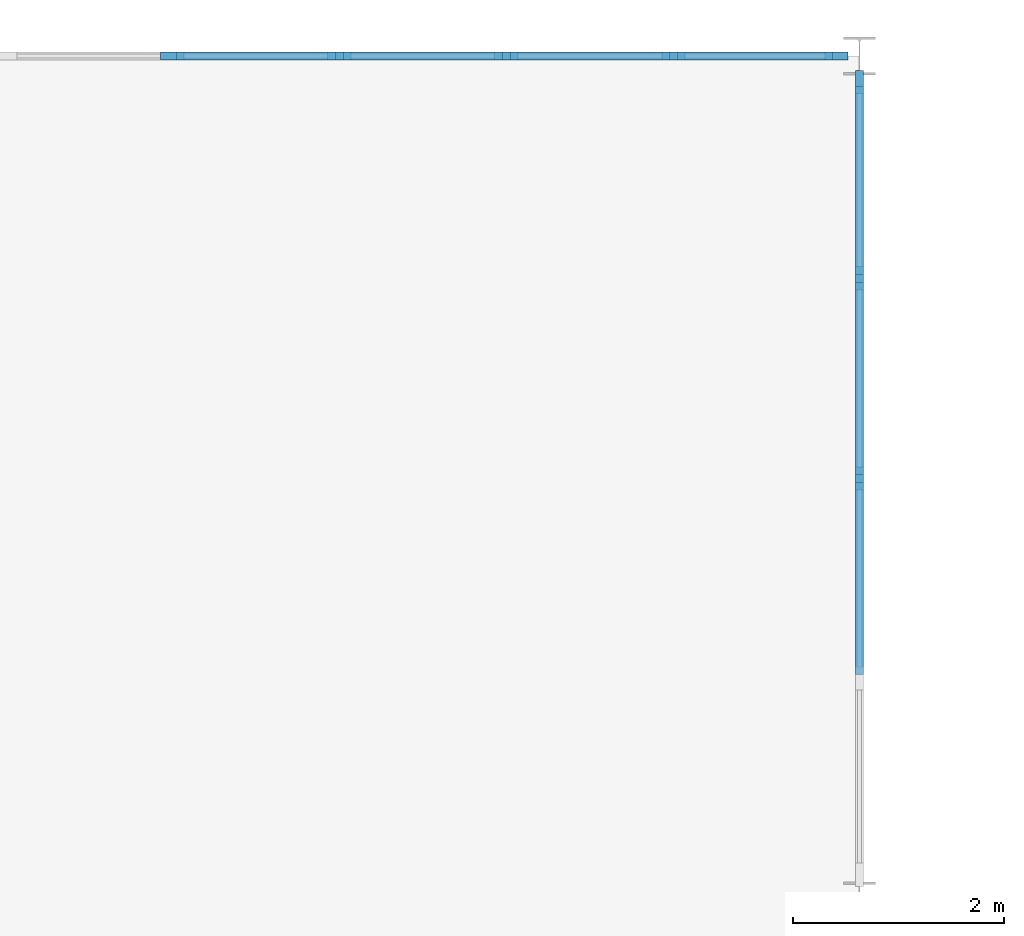
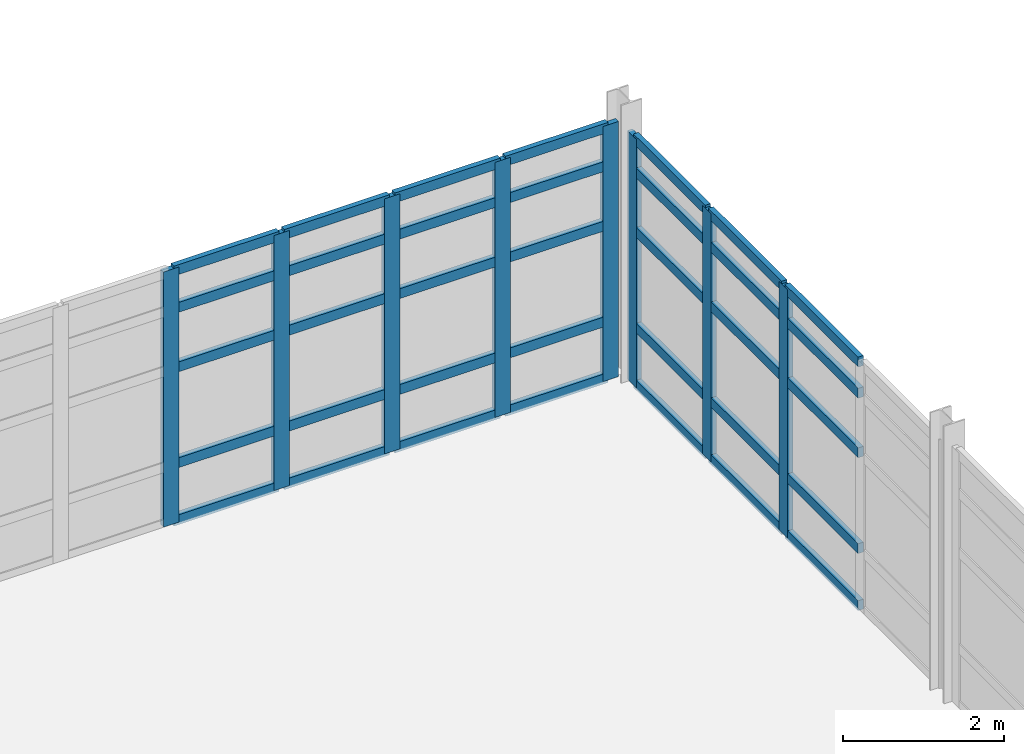
# One storey, part 55 of 122: 43 members, 2 elements without a shape of their own.
"""IFC4 building model written with IfcOpenShell, lengths in metres."""

from ifc_helpers import new_model, si_unit, direction, frame, origin, origin_2d, place, context, subcontext, project, spatial, rectangle, extrude, material, layer, layer_set, material_profile, profile_set, type_object, element, aggregate, save


model = new_model("IFC4")

# Units and contexts
model_context = context("Model", 3, precision=1e-05, world=origin(), true_north=direction((0.0, 1.0)))
body_context = subcontext(model_context, "Body", "Model", "MODEL_VIEW")
ifc_project = project(units=[si_unit("LENGTHUNIT", "METRE"), si_unit("AREAUNIT", "SQUARE_METRE"), si_unit("VOLUMEUNIT", "CUBIC_METRE"), si_unit("PLANEANGLEUNIT", "RADIAN"), si_unit("MASSUNIT", "GRAM", prefix="KILO"), si_unit("THERMODYNAMICTEMPERATUREUNIT", "KELVIN"), si_unit("POWERUNIT", "WATT")], contexts=[model_context])

# Site, building, storey
site_placement = place(None, origin())
site = spatial("IfcSite", under=ifc_project, at=site_placement, CompositionType="ELEMENT")
building_placement = place(site_placement, origin())
building = spatial("IfcBuilding", under=site, at=building_placement, Name="Korenveer Ferry Terminal", CompositionType="ELEMENT")
storey_placement = place(building_placement, frame((0.0, 0.0, 10.199951171875)))
storey = spatial("IfcBuildingStorey", under=building, at=storey_placement, Name="L02", CompositionType="ELEMENT", Elevation=10.199951171875)

# Curtain wall, members
ifc_material_1 = material(Name="Unitised bronze-and-glass curtain wall", Category="glass")
ifc_layer_1 = layer(ifc_material_1, 0.219970703125)
ifc_layer_set_1 = layer_set([ifc_layer_1], Name="Unitised bronze-and-glass curtain wall")
curtain_wall_type_1 = type_object("IfcCurtainWallType", Name="ENV-CW-102", PredefinedType="USERDEFINED", material=ifc_layer_set_1)
curtain_wall_1_placement = place(storey_placement, frame((40.16650390625, 116.0, 0.0)))
curtain_wall_1 = element("IfcCurtainWall", 1, at=curtain_wall_1_placement, inside=storey, type_object=curtain_wall_type_1, Name="Lancet curtain wall CWX-L02-X40-53-Y116-116", ObjectType="UNITISED CURTAIN WALL", PredefinedType="USERDEFINED")
ifc_material_2 = material(Name="Anodised bronze aluminium", Category="aluminium")
ifc_material_profile_1 = material_profile(ifc_material_2, rectangle(XDim=0.074951171875, YDim=0.219970703125, at=origin_2d()), Name="ALU 75x220")
ifc_profile_set_1 = profile_set([ifc_material_profile_1], Name="Anodised bronze aluminium")
member_type_1 = type_object("IfcMemberType", Name="ENV-CWM-75X220", PredefinedType="MULLION", material=ifc_profile_set_1)
member_1_placement = place(storey_placement, frame((46.4931640625, 116.0, 0.0), z_axis=(0.0, 0.0, 1.0), x_axis=(0.0, 1.0, 0.0)))
member_1 = element("IfcMember", 2, at=member_1_placement, type_object=member_type_1, Name="CW-102 mullion 5", PredefinedType="MULLION", context=body_context, shape_type="SweptSolid", body=[
    extrude(rectangle(XDim=0.074951171875, YDim=0.219970703125, at=origin_2d()), origin(), (0.0, 0.0, 1.0), 3.860107421875),
])
member_2_placement = place(storey_placement, frame((48.074951171875, 116.0, 0.0), z_axis=(0.0, 0.0, 1.0), x_axis=(0.0, 1.0, 0.0)))
member_2 = element("IfcMember", 3, at=member_2_placement, type_object=member_type_1, Name="CW-102 mullion 6", PredefinedType="MULLION", context=body_context, shape_type="SweptSolid", body=[
    extrude(rectangle(XDim=0.074951171875, YDim=0.219970703125, at=origin_2d()), origin(), (0.0, 0.0, 1.0), 3.860107421875),
])
member_3_placement = place(storey_placement, frame((49.65673828125, 116.0, 0.0), z_axis=(0.0, 0.0, 1.0), x_axis=(0.0, 1.0, 0.0)))
member_3 = element("IfcMember", 4, at=member_3_placement, type_object=member_type_1, Name="CW-102 mullion 7", PredefinedType="MULLION", context=body_context, shape_type="SweptSolid", body=[
    extrude(rectangle(XDim=0.074951171875, YDim=0.219970703125, at=origin_2d()), origin(), (0.0, 0.0, 1.0), 3.860107421875),
])
member_4_placement = place(storey_placement, frame((51.23828125, 116.0, 0.0), z_axis=(0.0, 0.0, 1.0), x_axis=(0.0, 1.0, 0.0)))
member_4 = element("IfcMember", 5, at=member_4_placement, type_object=member_type_1, Name="CW-102 mullion 8", PredefinedType="MULLION", context=body_context, shape_type="SweptSolid", body=[
    extrude(rectangle(XDim=0.074951171875, YDim=0.219970703125, at=origin_2d()), origin(), (0.0, 0.0, 1.0), 3.860107421875),
])
member_5_placement = place(storey_placement, frame((52.782470703125, 116.0, 0.0), z_axis=(0.0, 0.0, 1.0), x_axis=(0.0, 1.0, 0.0)))
member_5 = element("IfcMember", 6, at=member_5_placement, type_object=member_type_1, Name="CW-102 mullion 9", PredefinedType="MULLION", context=body_context, shape_type="SweptSolid", body=[
    extrude(rectangle(XDim=0.074951171875, YDim=0.219970703125, at=origin_2d()), origin(), (0.0, 0.0, 1.0), 3.860107421875),
])

ifc_layer_2 = layer(ifc_material_1, 0.219970703125)
ifc_layer_set_2 = layer_set([ifc_layer_2], Name="Unitised bronze-and-glass curtain wall")
curtain_wall_type_2 = type_object("IfcCurtainWallType", Name="ENV-CW-119", PredefinedType="USERDEFINED", material=ifc_layer_set_2)
curtain_wall_2_placement = place(storey_placement, frame((53.0, 115.7900390625, 0.0)))
curtain_wall_2 = element("IfcCurtainWall", 7, at=curtain_wall_2_placement, inside=storey, type_object=curtain_wall_type_2, Name="Lancet curtain wall CWX-L02-X53-53-Y108-116", ObjectType="UNITISED CURTAIN WALL", PredefinedType="USERDEFINED")
member_6_placement = place(storey_placement, frame((53.0, 115.75244140625, 0.0), z_axis=(0.0, 0.0, 1.0), x_axis=(1.0, 0.0, 0.0)))
member_6 = element("IfcMember", 8, at=member_6_placement, type_object=member_type_1, Name="CW-119 mullion 1", PredefinedType="MULLION", context=body_context, shape_type="SweptSolid", body=[
    extrude(rectangle(XDim=0.074951171875, YDim=0.219970703125, at=origin_2d()), origin(), (0.0, 0.0, 1.0), 3.760009765625),
])
member_7_placement = place(storey_placement, frame((53.0, 113.89501953125, 0.0), z_axis=(0.0, 0.0, 1.0), x_axis=(1.0, 0.0, 0.0)))
member_7 = element("IfcMember", 9, at=member_7_placement, type_object=member_type_1, Name="CW-119 mullion 2", PredefinedType="MULLION", context=body_context, shape_type="SweptSolid", body=[
    extrude(rectangle(XDim=0.074951171875, YDim=0.219970703125, at=origin_2d()), origin(), (0.0, 0.0, 1.0), 3.760009765625),
])
member_8_placement = place(storey_placement, frame((53.0, 112.0, 0.0), z_axis=(0.0, 0.0, 1.0), x_axis=(1.0, 0.0, 0.0)))
member_8 = element("IfcMember", 10, at=member_8_placement, type_object=member_type_1, Name="CW-119 mullion 3", PredefinedType="MULLION", context=body_context, shape_type="SweptSolid", body=[
    extrude(rectangle(XDim=0.074951171875, YDim=0.219970703125, at=origin_2d()), origin(), (0.0, 0.0, 1.0), 3.760009765625),
])

# Member
ifc_material_profile_2 = material_profile(ifc_material_2, rectangle(XDim=0.074951171875, YDim=0.14990234375, at=origin_2d()), Name="ALU 75x150")
ifc_profile_set_2 = profile_set([ifc_material_profile_2], Name="Anodised bronze aluminium")
member_type_2 = type_object("IfcMemberType", Name="ENV-CWT-75X150", PredefinedType="USERDEFINED", material=ifc_profile_set_2)
member_9_placement = place(storey_placement, frame((46.53076171875, 116.0, 0.03759765625), z_axis=(1.0, 0.0, 0.0), x_axis=(0.0, 1.0, 0.0)))
member_9 = element("IfcMember", 11, at=member_9_placement, type_object=member_type_2, Name="CW-102 transom 5.1", ObjectType="TRANSOM", PredefinedType="USERDEFINED", context=body_context, shape_type="SweptSolid", body=[
    extrude(rectangle(XDim=0.074951171875, YDim=0.14990234375, at=origin_2d()), origin(), (0.0, 0.0, 1.0), 1.506591796875),
])

member_10_placement = place(storey_placement, frame((46.53076171875, 116.0, 0.900146484375), z_axis=(1.0, 0.0, 0.0), x_axis=(0.0, 1.0, 0.0)))
member_10 = element("IfcMember", 12, at=member_10_placement, type_object=member_type_2, Name="CW-102 transom 5.2", ObjectType="TRANSOM", PredefinedType="USERDEFINED", context=body_context, shape_type="SweptSolid", body=[
    extrude(rectangle(XDim=0.074951171875, YDim=0.14990234375, at=origin_2d()), origin(), (0.0, 0.0, 1.0), 1.506591796875),
])

member_11_placement = place(storey_placement, frame((46.53076171875, 116.0, 2.35009765625), z_axis=(1.0, 0.0, 0.0), x_axis=(0.0, 1.0, 0.0)))
member_11 = element("IfcMember", 13, at=member_11_placement, type_object=member_type_2, Name="CW-102 transom 5.3", ObjectType="TRANSOM", PredefinedType="USERDEFINED", context=body_context, shape_type="SweptSolid", body=[
    extrude(rectangle(XDim=0.074951171875, YDim=0.14990234375, at=origin_2d()), origin(), (0.0, 0.0, 1.0), 1.506591796875),
])

member_12_placement = place(storey_placement, frame((46.53076171875, 116.0, 3.25), z_axis=(1.0, 0.0, 0.0), x_axis=(0.0, 1.0, 0.0)))
member_12 = element("IfcMember", 14, at=member_12_placement, type_object=member_type_2, Name="CW-102 transom 5.4", ObjectType="TRANSOM", PredefinedType="USERDEFINED", context=body_context, shape_type="SweptSolid", body=[
    extrude(rectangle(XDim=0.074951171875, YDim=0.14990234375, at=origin_2d()), origin(), (0.0, 0.0, 1.0), 1.506591796875),
])

member_13_placement = place(storey_placement, frame((46.53076171875, 116.0, 3.822509765625), z_axis=(1.0, 0.0, 0.0), x_axis=(0.0, 1.0, 0.0)))
member_13 = element("IfcMember", 15, at=member_13_placement, type_object=member_type_2, Name="CW-102 transom 5.5", ObjectType="TRANSOM", PredefinedType="USERDEFINED", context=body_context, shape_type="SweptSolid", body=[
    extrude(rectangle(XDim=0.074951171875, YDim=0.14990234375, at=origin_2d()), origin(), (0.0, 0.0, 1.0), 1.506591796875),
])

member_14_placement = place(storey_placement, frame((48.112548828125, 116.0, 0.03759765625), z_axis=(1.0, 0.0, 0.0), x_axis=(0.0, 1.0, 0.0)))
member_14 = element("IfcMember", 16, at=member_14_placement, type_object=member_type_2, Name="CW-102 transom 6.1", ObjectType="TRANSOM", PredefinedType="USERDEFINED", context=body_context, shape_type="SweptSolid", body=[
    extrude(rectangle(XDim=0.074951171875, YDim=0.14990234375, at=origin_2d()), origin(), (0.0, 0.0, 1.0), 1.506591796875),
])

member_15_placement = place(storey_placement, frame((48.112548828125, 116.0, 0.900146484375), z_axis=(1.0, 0.0, 0.0), x_axis=(0.0, 1.0, 0.0)))
member_15 = element("IfcMember", 17, at=member_15_placement, type_object=member_type_2, Name="CW-102 transom 6.2", ObjectType="TRANSOM", PredefinedType="USERDEFINED", context=body_context, shape_type="SweptSolid", body=[
    extrude(rectangle(XDim=0.074951171875, YDim=0.14990234375, at=origin_2d()), origin(), (0.0, 0.0, 1.0), 1.506591796875),
])

member_16_placement = place(storey_placement, frame((48.112548828125, 116.0, 2.35009765625), z_axis=(1.0, 0.0, 0.0), x_axis=(0.0, 1.0, 0.0)))
member_16 = element("IfcMember", 18, at=member_16_placement, type_object=member_type_2, Name="CW-102 transom 6.3", ObjectType="TRANSOM", PredefinedType="USERDEFINED", context=body_context, shape_type="SweptSolid", body=[
    extrude(rectangle(XDim=0.074951171875, YDim=0.14990234375, at=origin_2d()), origin(), (0.0, 0.0, 1.0), 1.506591796875),
])

member_17_placement = place(storey_placement, frame((48.112548828125, 116.0, 3.25), z_axis=(1.0, 0.0, 0.0), x_axis=(0.0, 1.0, 0.0)))
member_17 = element("IfcMember", 19, at=member_17_placement, type_object=member_type_2, Name="CW-102 transom 6.4", ObjectType="TRANSOM", PredefinedType="USERDEFINED", context=body_context, shape_type="SweptSolid", body=[
    extrude(rectangle(XDim=0.074951171875, YDim=0.14990234375, at=origin_2d()), origin(), (0.0, 0.0, 1.0), 1.506591796875),
])

member_18_placement = place(storey_placement, frame((48.112548828125, 116.0, 3.822509765625), z_axis=(1.0, 0.0, 0.0), x_axis=(0.0, 1.0, 0.0)))
member_18 = element("IfcMember", 20, at=member_18_placement, type_object=member_type_2, Name="CW-102 transom 6.5", ObjectType="TRANSOM", PredefinedType="USERDEFINED", context=body_context, shape_type="SweptSolid", body=[
    extrude(rectangle(XDim=0.074951171875, YDim=0.14990234375, at=origin_2d()), origin(), (0.0, 0.0, 1.0), 1.506591796875),
])

member_19_placement = place(storey_placement, frame((49.694091796875, 116.0, 0.03759765625), z_axis=(1.0, 0.0, 0.0), x_axis=(0.0, 1.0, 0.0)))
member_19 = element("IfcMember", 21, at=member_19_placement, type_object=member_type_2, Name="CW-102 transom 7.1", ObjectType="TRANSOM", PredefinedType="USERDEFINED", context=body_context, shape_type="SweptSolid", body=[
    extrude(rectangle(XDim=0.074951171875, YDim=0.14990234375, at=origin_2d()), origin(), (0.0, 0.0, 1.0), 1.5068359375),
])

member_20_placement = place(storey_placement, frame((49.694091796875, 116.0, 0.900146484375), z_axis=(1.0, 0.0, 0.0), x_axis=(0.0, 1.0, 0.0)))
member_20 = element("IfcMember", 22, at=member_20_placement, type_object=member_type_2, Name="CW-102 transom 7.2", ObjectType="TRANSOM", PredefinedType="USERDEFINED", context=body_context, shape_type="SweptSolid", body=[
    extrude(rectangle(XDim=0.074951171875, YDim=0.14990234375, at=origin_2d()), origin(), (0.0, 0.0, 1.0), 1.5068359375),
])

member_21_placement = place(storey_placement, frame((49.694091796875, 116.0, 2.35009765625), z_axis=(1.0, 0.0, 0.0), x_axis=(0.0, 1.0, 0.0)))
member_21 = element("IfcMember", 23, at=member_21_placement, type_object=member_type_2, Name="CW-102 transom 7.3", ObjectType="TRANSOM", PredefinedType="USERDEFINED", context=body_context, shape_type="SweptSolid", body=[
    extrude(rectangle(XDim=0.074951171875, YDim=0.14990234375, at=origin_2d()), origin(), (0.0, 0.0, 1.0), 1.5068359375),
])

member_22_placement = place(storey_placement, frame((49.694091796875, 116.0, 3.25), z_axis=(1.0, 0.0, 0.0), x_axis=(0.0, 1.0, 0.0)))
member_22 = element("IfcMember", 24, at=member_22_placement, type_object=member_type_2, Name="CW-102 transom 7.4", ObjectType="TRANSOM", PredefinedType="USERDEFINED", context=body_context, shape_type="SweptSolid", body=[
    extrude(rectangle(XDim=0.074951171875, YDim=0.14990234375, at=origin_2d()), origin(), (0.0, 0.0, 1.0), 1.5068359375),
])

member_23_placement = place(storey_placement, frame((49.694091796875, 116.0, 3.822509765625), z_axis=(1.0, 0.0, 0.0), x_axis=(0.0, 1.0, 0.0)))
member_23 = element("IfcMember", 25, at=member_23_placement, type_object=member_type_2, Name="CW-102 transom 7.5", ObjectType="TRANSOM", PredefinedType="USERDEFINED", context=body_context, shape_type="SweptSolid", body=[
    extrude(rectangle(XDim=0.074951171875, YDim=0.14990234375, at=origin_2d()), origin(), (0.0, 0.0, 1.0), 1.5068359375),
])

member_24_placement = place(storey_placement, frame((51.27587890625, 116.0, 0.03759765625), z_axis=(1.0, 0.0, 0.0), x_axis=(0.0, 1.0, 0.0)))
member_24 = element("IfcMember", 26, at=member_24_placement, type_object=member_type_2, Name="CW-102 transom 8.1", ObjectType="TRANSOM", PredefinedType="USERDEFINED", context=body_context, shape_type="SweptSolid", body=[
    extrude(rectangle(XDim=0.074951171875, YDim=0.14990234375, at=origin_2d()), origin(), (0.0, 0.0, 1.0), 1.46923828125),
])

member_25_placement = place(storey_placement, frame((51.27587890625, 116.0, 0.900146484375), z_axis=(1.0, 0.0, 0.0), x_axis=(0.0, 1.0, 0.0)))
member_25 = element("IfcMember", 27, at=member_25_placement, type_object=member_type_2, Name="CW-102 transom 8.2", ObjectType="TRANSOM", PredefinedType="USERDEFINED", context=body_context, shape_type="SweptSolid", body=[
    extrude(rectangle(XDim=0.074951171875, YDim=0.14990234375, at=origin_2d()), origin(), (0.0, 0.0, 1.0), 1.46923828125),
])

member_26_placement = place(storey_placement, frame((51.27587890625, 116.0, 2.35009765625), z_axis=(1.0, 0.0, 0.0), x_axis=(0.0, 1.0, 0.0)))
member_26 = element("IfcMember", 28, at=member_26_placement, type_object=member_type_2, Name="CW-102 transom 8.3", ObjectType="TRANSOM", PredefinedType="USERDEFINED", context=body_context, shape_type="SweptSolid", body=[
    extrude(rectangle(XDim=0.074951171875, YDim=0.14990234375, at=origin_2d()), origin(), (0.0, 0.0, 1.0), 1.46923828125),
])

member_27_placement = place(storey_placement, frame((51.27587890625, 116.0, 3.25), z_axis=(1.0, 0.0, 0.0), x_axis=(0.0, 1.0, 0.0)))
member_27 = element("IfcMember", 29, at=member_27_placement, type_object=member_type_2, Name="CW-102 transom 8.4", ObjectType="TRANSOM", PredefinedType="USERDEFINED", context=body_context, shape_type="SweptSolid", body=[
    extrude(rectangle(XDim=0.074951171875, YDim=0.14990234375, at=origin_2d()), origin(), (0.0, 0.0, 1.0), 1.46923828125),
])

member_28_placement = place(storey_placement, frame((51.27587890625, 116.0, 3.822509765625), z_axis=(1.0, 0.0, 0.0), x_axis=(0.0, 1.0, 0.0)))
member_28 = element("IfcMember", 30, at=member_28_placement, type_object=member_type_2, Name="CW-102 transom 8.5", ObjectType="TRANSOM", PredefinedType="USERDEFINED", context=body_context, shape_type="SweptSolid", body=[
    extrude(rectangle(XDim=0.074951171875, YDim=0.14990234375, at=origin_2d()), origin(), (0.0, 0.0, 1.0), 1.46923828125),
])

aggregate(curtain_wall_1, [member_1, member_2, member_3, member_4, member_5, member_9, member_10, member_11, member_12, member_13, member_14, member_15, member_16, member_17, member_18, member_19, member_20, member_21, member_22, member_23, member_24, member_25, member_26, member_27, member_28])

member_29_placement = place(storey_placement, frame((53.0, 115.715087890625, 0.03759765625), z_axis=(0.0, -1.0, 0.0), x_axis=(1.0, 0.0, 0.0)))
member_29 = element("IfcMember", 31, at=member_29_placement, type_object=member_type_2, Name="CW-119 transom 1.1", ObjectType="TRANSOM", PredefinedType="USERDEFINED", context=body_context, shape_type="SweptSolid", body=[
    extrude(rectangle(XDim=0.074951171875, YDim=0.14990234375, at=origin_2d()), origin(), (0.0, 0.0, 1.0), 1.782470703125),
])

member_30_placement = place(storey_placement, frame((53.0, 115.715087890625, 0.900146484375), z_axis=(0.0, -1.0, 0.0), x_axis=(1.0, 0.0, 0.0)))
member_30 = element("IfcMember", 32, at=member_30_placement, type_object=member_type_2, Name="CW-119 transom 1.2", ObjectType="TRANSOM", PredefinedType="USERDEFINED", context=body_context, shape_type="SweptSolid", body=[
    extrude(rectangle(XDim=0.074951171875, YDim=0.14990234375, at=origin_2d()), origin(), (0.0, 0.0, 1.0), 1.782470703125),
])

member_31_placement = place(storey_placement, frame((53.0, 115.715087890625, 2.35009765625), z_axis=(0.0, -1.0, 0.0), x_axis=(1.0, 0.0, 0.0)))
member_31 = element("IfcMember", 33, at=member_31_placement, type_object=member_type_2, Name="CW-119 transom 1.3", ObjectType="TRANSOM", PredefinedType="USERDEFINED", context=body_context, shape_type="SweptSolid", body=[
    extrude(rectangle(XDim=0.074951171875, YDim=0.14990234375, at=origin_2d()), origin(), (0.0, 0.0, 1.0), 1.782470703125),
])

member_32_placement = place(storey_placement, frame((53.0, 115.715087890625, 3.25), z_axis=(0.0, -1.0, 0.0), x_axis=(1.0, 0.0, 0.0)))
member_32 = element("IfcMember", 34, at=member_32_placement, type_object=member_type_2, Name="CW-119 transom 1.4", ObjectType="TRANSOM", PredefinedType="USERDEFINED", context=body_context, shape_type="SweptSolid", body=[
    extrude(rectangle(XDim=0.074951171875, YDim=0.14990234375, at=origin_2d()), origin(), (0.0, 0.0, 1.0), 1.782470703125),
])

member_33_placement = place(storey_placement, frame((53.0, 115.715087890625, 3.72265625), z_axis=(0.0, -1.0, 0.0), x_axis=(1.0, 0.0, 0.0)))
member_33 = element("IfcMember", 35, at=member_33_placement, type_object=member_type_2, Name="CW-119 transom 1.5", ObjectType="TRANSOM", PredefinedType="USERDEFINED", context=body_context, shape_type="SweptSolid", body=[
    extrude(rectangle(XDim=0.074951171875, YDim=0.14990234375, at=origin_2d()), origin(), (0.0, 0.0, 1.0), 1.782470703125),
])

member_34_placement = place(storey_placement, frame((53.0, 113.857421875, 0.03759765625), z_axis=(0.0, -1.0, 0.0), x_axis=(1.0, 0.0, 0.0)))
member_34 = element("IfcMember", 36, at=member_34_placement, type_object=member_type_2, Name="CW-119 transom 2.1", ObjectType="TRANSOM", PredefinedType="USERDEFINED", context=body_context, shape_type="SweptSolid", body=[
    extrude(rectangle(XDim=0.074951171875, YDim=0.14990234375, at=origin_2d()), origin(), (0.0, 0.0, 1.0), 1.81982421875),
])

member_35_placement = place(storey_placement, frame((53.0, 113.857421875, 0.900146484375), z_axis=(0.0, -1.0, 0.0), x_axis=(1.0, 0.0, 0.0)))
member_35 = element("IfcMember", 37, at=member_35_placement, type_object=member_type_2, Name="CW-119 transom 2.2", ObjectType="TRANSOM", PredefinedType="USERDEFINED", context=body_context, shape_type="SweptSolid", body=[
    extrude(rectangle(XDim=0.074951171875, YDim=0.14990234375, at=origin_2d()), origin(), (0.0, 0.0, 1.0), 1.81982421875),
])

member_36_placement = place(storey_placement, frame((53.0, 113.857421875, 2.35009765625), z_axis=(0.0, -1.0, 0.0), x_axis=(1.0, 0.0, 0.0)))
member_36 = element("IfcMember", 38, at=member_36_placement, type_object=member_type_2, Name="CW-119 transom 2.3", ObjectType="TRANSOM", PredefinedType="USERDEFINED", context=body_context, shape_type="SweptSolid", body=[
    extrude(rectangle(XDim=0.074951171875, YDim=0.14990234375, at=origin_2d()), origin(), (0.0, 0.0, 1.0), 1.81982421875),
])

member_37_placement = place(storey_placement, frame((53.0, 113.857421875, 3.25), z_axis=(0.0, -1.0, 0.0), x_axis=(1.0, 0.0, 0.0)))
member_37 = element("IfcMember", 39, at=member_37_placement, type_object=member_type_2, Name="CW-119 transom 2.4", ObjectType="TRANSOM", PredefinedType="USERDEFINED", context=body_context, shape_type="SweptSolid", body=[
    extrude(rectangle(XDim=0.074951171875, YDim=0.14990234375, at=origin_2d()), origin(), (0.0, 0.0, 1.0), 1.81982421875),
])

member_38_placement = place(storey_placement, frame((53.0, 113.857421875, 3.72265625), z_axis=(0.0, -1.0, 0.0), x_axis=(1.0, 0.0, 0.0)))
member_38 = element("IfcMember", 40, at=member_38_placement, type_object=member_type_2, Name="CW-119 transom 2.5", ObjectType="TRANSOM", PredefinedType="USERDEFINED", context=body_context, shape_type="SweptSolid", body=[
    extrude(rectangle(XDim=0.074951171875, YDim=0.14990234375, at=origin_2d()), origin(), (0.0, 0.0, 1.0), 1.81982421875),
])

member_39_placement = place(storey_placement, frame((53.0, 111.96240234375, 0.03759765625), z_axis=(0.0, -1.0, 0.0), x_axis=(1.0, 0.0, 0.0)))
member_39 = element("IfcMember", 41, at=member_39_placement, type_object=member_type_2, Name="CW-119 transom 3.1", ObjectType="TRANSOM", PredefinedType="USERDEFINED", context=body_context, shape_type="SweptSolid", body=[
    extrude(rectangle(XDim=0.074951171875, YDim=0.14990234375, at=origin_2d()), origin(), (0.0, 0.0, 1.0), 1.81982421875),
])

member_40_placement = place(storey_placement, frame((53.0, 111.96240234375, 0.900146484375), z_axis=(0.0, -1.0, 0.0), x_axis=(1.0, 0.0, 0.0)))
member_40 = element("IfcMember", 42, at=member_40_placement, type_object=member_type_2, Name="CW-119 transom 3.2", ObjectType="TRANSOM", PredefinedType="USERDEFINED", context=body_context, shape_type="SweptSolid", body=[
    extrude(rectangle(XDim=0.074951171875, YDim=0.14990234375, at=origin_2d()), origin(), (0.0, 0.0, 1.0), 1.81982421875),
])

member_41_placement = place(storey_placement, frame((53.0, 111.96240234375, 2.35009765625), z_axis=(0.0, -1.0, 0.0), x_axis=(1.0, 0.0, 0.0)))
member_41 = element("IfcMember", 43, at=member_41_placement, type_object=member_type_2, Name="CW-119 transom 3.3", ObjectType="TRANSOM", PredefinedType="USERDEFINED", context=body_context, shape_type="SweptSolid", body=[
    extrude(rectangle(XDim=0.074951171875, YDim=0.14990234375, at=origin_2d()), origin(), (0.0, 0.0, 1.0), 1.81982421875),
])

member_42_placement = place(storey_placement, frame((53.0, 111.96240234375, 3.25), z_axis=(0.0, -1.0, 0.0), x_axis=(1.0, 0.0, 0.0)))
member_42 = element("IfcMember", 44, at=member_42_placement, type_object=member_type_2, Name="CW-119 transom 3.4", ObjectType="TRANSOM", PredefinedType="USERDEFINED", context=body_context, shape_type="SweptSolid", body=[
    extrude(rectangle(XDim=0.074951171875, YDim=0.14990234375, at=origin_2d()), origin(), (0.0, 0.0, 1.0), 1.81982421875),
])

member_43_placement = place(storey_placement, frame((53.0, 111.96240234375, 3.72265625), z_axis=(0.0, -1.0, 0.0), x_axis=(1.0, 0.0, 0.0)))
member_43 = element("IfcMember", 45, at=member_43_placement, type_object=member_type_2, Name="CW-119 transom 3.5", ObjectType="TRANSOM", PredefinedType="USERDEFINED", context=body_context, shape_type="SweptSolid", body=[
    extrude(rectangle(XDim=0.074951171875, YDim=0.14990234375, at=origin_2d()), origin(), (0.0, 0.0, 1.0), 1.81982421875),
])

aggregate(curtain_wall_2, [member_6, member_7, member_8, member_29, member_30, member_31, member_32, member_33, member_34, member_35, member_36, member_37, member_38, member_39, member_40, member_41, member_42, member_43])

save(model, "model.ifc")
